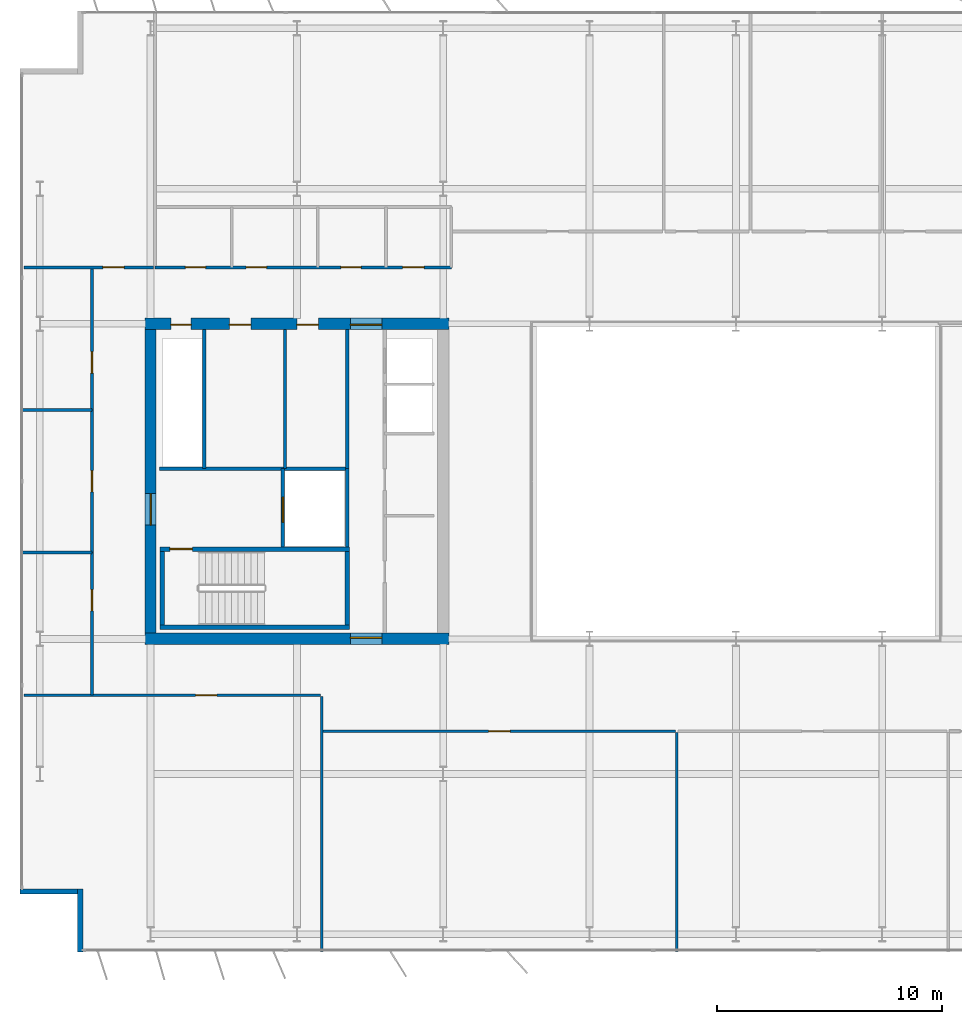
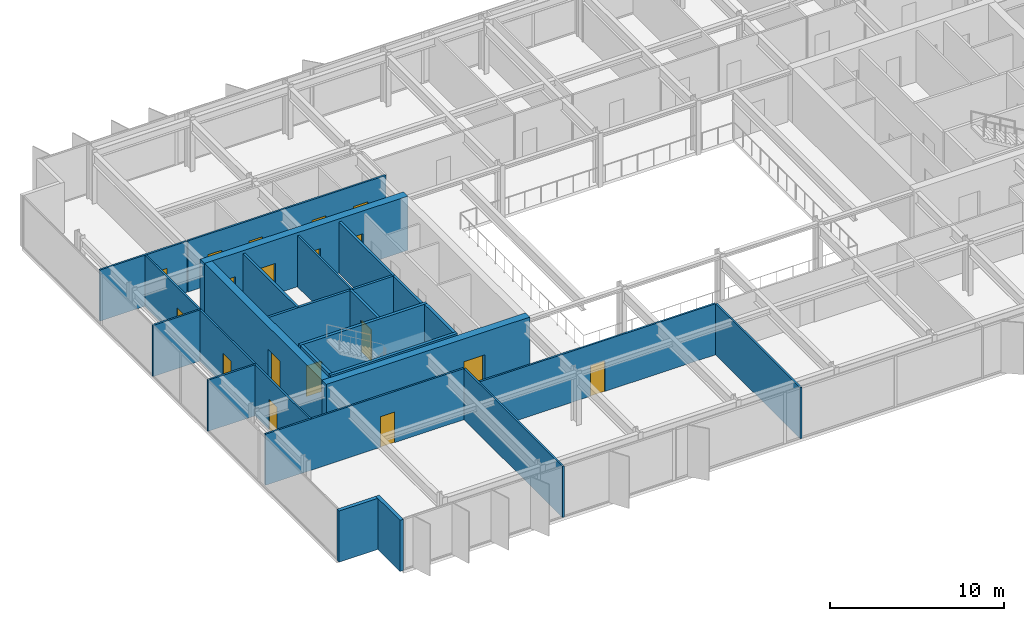
# One storey, part 12 of 19: 26 walls, 18 doors, 18 openings.
"""IFC4 building model written with IfcOpenShell, lengths in metres."""

import ifcopenshell
import ifcopenshell.guid

model = None  # the IFC model being written
_history = None  # IfcOwnerHistory: only IFC2X3 demands one
_inside = {}  # id of a spatial element -> (the spatial element, [elements in it])
_under = {}  # id of a project, library or spatial element -> (it, [spatial elements below it])
_declared = {}  # id of a project -> (the project, [libraries it declares])
_typed = {}  # id of a type object -> (the type object, [elements of that type])
_made_of = {}  # id of a material, layer set ... -> (it, [elements and type objects made of it])


def new_model(schema):
    """Start an empty IFC model of exactly this schema.

    Asked for "IFC4X3", IfcOpenShell would pick the latest addendum, in which some entities
    have other attributes; the version numbers below select the first issue.
    IFC2X3 requires an IfcOwnerHistory on every rooted entity: one is made here for all.
    """
    global model, _history
    if schema == "IFC4X3":
        model = ifcopenshell.file(schema_version=(4, 3, 0, 0))
    else:
        model = ifcopenshell.file(schema=schema)
    _inside.clear()
    _under.clear()
    _declared.clear()
    _typed.clear()
    _made_of.clear()
    _history = None
    if model.schema == "IFC2X3":
        org = make("IfcOrganization", Name="unknown")
        user = make(
            "IfcPersonAndOrganization",
            ThePerson=make("IfcPerson", FamilyName="unknown"),
            TheOrganization=org,
        )
        app = make(
            "IfcApplication",
            ApplicationDeveloper=org,
            Version="unknown",
            ApplicationFullName="unknown",
            ApplicationIdentifier="unknown",
        )
        _history = make(
            "IfcOwnerHistory",
            OwningUser=user,
            OwningApplication=app,
            ChangeAction="ADDED",
            CreationDate=0,
        )
    return model


def make(cls, **values):
    """One entity of the class cls with the attributes given. An attribute that is None is left unset."""
    return model.create_entity(
        cls, **{name: value for name, value in values.items() if value is not None}
    )


def rooted(cls, **values):
    """An entity with a GlobalId (a new one), such as an element, a storey or a relation."""
    return make(cls, GlobalId=ifcopenshell.guid.new(), OwnerHistory=_history, **values)


def si_unit(unit_type, name, prefix=None):
    """IfcSIUnit, for example si_unit("LENGTHUNIT", "METRE", prefix="MILLI")."""
    return make("IfcSIUnit", UnitType=unit_type, Prefix=prefix, Name=name)


def assignment(units):
    """IfcUnitAssignment: the units of a project."""
    return None if units is None else make("IfcUnitAssignment", Units=units)


def point(xyz):
    """IfcCartesianPoint."""
    return None if xyz is None else make("IfcCartesianPoint", Coordinates=xyz)


def direction(xyz):
    """IfcDirection."""
    return None if xyz is None else make("IfcDirection", DirectionRatios=xyz)


def frame(location, z_axis=None, x_axis=None):
    """IfcAxis2Placement3D, a coordinate frame: its origin and axes. An axis left out is left unset."""
    return make(
        "IfcAxis2Placement3D",
        Location=point(location),
        Axis=direction(z_axis),
        RefDirection=direction(x_axis),
    )


def frame_2d(location, x_axis=None):
    """IfcAxis2Placement2D, a coordinate frame in the plane: its origin and x axis."""
    return make(
        "IfcAxis2Placement2D", Location=point(location), RefDirection=direction(x_axis)
    )


def origin():
    """The frame at (0, 0, 0) with its axes left unset."""
    return frame((0.0, 0.0, 0.0))


def place(relative_to, where):
    """IfcLocalPlacement: puts the frame where relative to a parent placement (None: the world)."""
    return make(
        "IfcLocalPlacement", PlacementRelTo=relative_to, RelativePlacement=where
    )


def context(
    kind, dimensions, precision=None, world=None, true_north=None, identifier=None
):
    """IfcGeometricRepresentationContext, for example the 3D "Model" context."""
    return make(
        "IfcGeometricRepresentationContext",
        ContextIdentifier=identifier,
        ContextType=kind,
        CoordinateSpaceDimension=dimensions,
        Precision=precision,
        WorldCoordinateSystem=world,
        TrueNorth=true_north,
    )


def subcontext(parent, identifier, kind, view, scale=None):
    """IfcGeometricRepresentationSubContext, for example "Body" below "Model"."""
    return make(
        "IfcGeometricRepresentationSubContext",
        ContextIdentifier=identifier,
        ContextType=kind,
        ParentContext=parent,
        TargetScale=scale,
        TargetView=view,
    )


def project(units=None, contexts=None):
    """IfcProject with its units and contexts."""
    return rooted(
        "IfcProject",
        Name="project",
        RepresentationContexts=contexts,
        UnitsInContext=assignment(units),
    )


def spatial(cls, under=None, at=None, **own):
    """A site, building, storey or space (cls), placed at a placement, below another one or the project."""
    s = rooted(cls, ObjectPlacement=at, **own)
    if under is not None:
        _under.setdefault(under.id(), (under, []))[1].append(s)
    return s


def profile(cls, at=None, kind="AREA", **sizes):
    """A parametric profile (cls). Its sizes go by their IFC names, for example OverallWidth=200.0."""
    return make(cls, ProfileType=kind, Position=at, **sizes)


def rectangle(**sizes):
    """IfcRectangleProfileDef."""
    return profile("IfcRectangleProfileDef", **sizes)


def extrude(swept, where, along, depth):
    """IfcExtrudedAreaSolid: the profile swept, set in the frame where, extruded along a direction by depth."""
    return make(
        "IfcExtrudedAreaSolid",
        SweptArea=swept,
        Position=where,
        ExtrudedDirection=direction(along),
        Depth=depth,
    )


def shape(context_of_items, identifier, shape_type, items):
    """IfcShapeRepresentation: the items that make up one representation, for example the "Body"."""
    return make(
        "IfcShapeRepresentation",
        ContextOfItems=context_of_items,
        RepresentationIdentifier=identifier,
        RepresentationType=shape_type,
        Items=items,
    )


def material(Name=None, Category=None):
    """IfcMaterial."""
    return make("IfcMaterial", Name=Name, Category=Category)


def layer(
    of_material, thickness, ventilated=None, Name=None, Category=None, Priority=None
):
    """IfcMaterialLayer: one layer of a wall or slab, of a material (None: an air gap)."""
    return make(
        "IfcMaterialLayer",
        Material=of_material,
        LayerThickness=thickness,
        IsVentilated=ventilated,
        Name=Name,
        Category=Category,
        Priority=Priority,
    )


def layer_set(layers, Name=None):
    """IfcMaterialLayerSet."""
    return make("IfcMaterialLayerSet", MaterialLayers=layers, LayerSetName=Name)


def made_of(thing, what):
    """Note that an element or type object is made of a material, layer set ...; save() writes the relation."""
    if what is not None:
        _made_of.setdefault(what.id(), (what, []))[1].append(thing)
    return thing


def type_object(cls, material=None, **own):
    """A type object (cls), such as IfcWallType, which elements share."""
    return made_of(rooted(cls, **own), material)


def element(
    cls,
    number,
    at=None,
    inside=None,
    cuts=None,
    type_object=None,
    material=None,
    context=None,
    identifier="Body",
    shape_type=None,
    held_by="IfcProductDefinitionShape",
    body=None,
    shapes=None,
    **own,
):
    """One element of the class cls, such as IfcWall. Its Tag is "e" and its number.

    at: its placement. inside: the storey or other place that contains it. cuts: it is an
    opening in that element (IfcRelVoidsElement). A single representation is given by context,
    identifier, shape_type and body (its items); several are given by shapes. held_by: the class
    of the entity that holds the representations. save() writes the other relations.
    """
    e = rooted(cls, Tag="e%d" % number, ObjectPlacement=at, **own)
    if body is not None:
        shapes = [shape(context, identifier, shape_type, body)]
    if shapes is not None:
        e.Representation = make(held_by, Representations=shapes)
    if inside is not None:
        _inside.setdefault(inside.id(), (inside, []))[1].append(e)
    if cuts is not None:
        rooted(
            "IfcRelVoidsElement", RelatingBuildingElement=cuts, RelatedOpeningElement=e
        )
    if type_object is not None:
        _typed.setdefault(type_object.id(), (type_object, []))[1].append(e)
    return made_of(e, material)


def fill(opening, filler):
    """IfcRelFillsElement: the door or window that sits in an opening."""
    return rooted(
        "IfcRelFillsElement",
        RelatingOpeningElement=opening,
        RelatedBuildingElement=filler,
    )


def aggregate(whole, parts):
    """IfcRelAggregates: a whole, such as a stair, and the parts it consists of."""
    return rooted("IfcRelAggregates", RelatingObject=whole, RelatedObjects=parts)


def save(model, path):
    """Write the relations noted so far, then the file.

    IfcRelAggregates (storeys below a building ...), IfcRelContainedInSpatialStructure (elements
    in a storey), IfcRelDefinesByType, IfcRelAssociatesMaterial and IfcRelDeclares: one each for
    every whole, place, type object, material and project.
    """
    for whole, parts in _under.values():
        aggregate(whole, parts)
    for where, things in _inside.values():
        rooted(
            "IfcRelContainedInSpatialStructure",
            RelatedElements=things,
            RelatingStructure=where,
        )
    for kind, things in _typed.values():
        rooted("IfcRelDefinesByType", RelatedObjects=things, RelatingType=kind)
    for what, things in _made_of.values():
        rooted("IfcRelAssociatesMaterial", RelatedObjects=things, RelatingMaterial=what)
    for by, libraries in _declared.values():
        rooted("IfcRelDeclares", RelatingContext=by, RelatedDefinitions=libraries)
    model.write(path)


model = new_model("IFC4")

# Units and contexts
model_context = context("Model", 3, precision=1e-05, world=origin(), true_north=direction((0.0, 1.0)))
body_context = subcontext(model_context, "Body", "Model", "MODEL_VIEW")
ifc_project = project(units=[si_unit("LENGTHUNIT", "METRE"), si_unit("AREAUNIT", "SQUARE_METRE"), si_unit("VOLUMEUNIT", "CUBIC_METRE"), si_unit("PLANEANGLEUNIT", "RADIAN"), si_unit("MASSUNIT", "GRAM", prefix="KILO")], contexts=[model_context])

# Site, building, storey
site_placement = place(None, origin())
site = spatial("IfcSite", under=ifc_project, at=site_placement, CompositionType="ELEMENT")
building_placement = place(site_placement, origin())
building = spatial("IfcBuilding", under=site, at=building_placement, Name="Putna Gate Headquarters", CompositionType="ELEMENT")
storey_placement = place(building_placement, frame((0.0, 0.0, 259.39990234375)))
storey = spatial("IfcBuildingStorey", under=building, at=storey_placement, Name="L65", CompositionType="ELEMENT", Elevation=259.39990234375)

# Wall, opening, door
ifc_material_1 = material(Name="Concrete C50/60", Category="concrete")
ifc_layer_1 = layer(ifc_material_1, 0.5)
ifc_layer_set_1 = layer_set([ifc_layer_1], Name="Concrete C50/60")
wall_type_1 = type_object("IfcWallType", Name="WALL-CORE-500", PredefinedType="SHEAR", material=ifc_layer_set_1)
wall_1_placement = place(storey_placement, frame((12.75, 19.0, 0.0), z_axis=(0.0, 0.0, 1.0), x_axis=(1.0, 0.0, 0.0)))
wall_1 = element("IfcWall", 1, at=wall_1_placement, inside=storey, type_object=wall_type_1, Name="L65 WC Split Core Shear Wall S", PredefinedType="SHEAR", context=body_context, shape_type="SweptSolid", body=[
    extrude(rectangle(XDim=13.5, YDim=0.5, at=frame_2d((6.75, 0.0))), origin(), (0.0, 0.0, 1.0), 3.800048828125),
])
opening_1_placement = place(wall_1_placement, frame((9.1298828125, 0.0, 0.0)))
opening_1 = element("IfcOpeningElement", 2, at=opening_1_placement, cuts=wall_1, Name="Opening FDD-140", PredefinedType="OPENING", context=body_context, shape_type="SweptSolid", body=[
    extrude(rectangle(XDim=1.39990234375, YDim=2.199951171875, at=frame_2d((0.699951171875, 1.10009765625))), frame((0.0, 0.260009765625, 0.0), z_axis=(0.0, -1.0, 0.0), x_axis=(1.0, 0.0, 0.0)), (0.0, 0.0, 1.0), 0.52001953125),
])
ifc_material_2 = material(Name="Double steel fire door", Category="steel")
door_type_1 = type_object("IfcDoorType", Name="DOOR-FIRE-DBL-1400", OperationType="DOUBLE_DOOR_SINGLE_SWING", PredefinedType="DOOR", material=ifc_material_2)
door_1_placement = place(opening_1_placement, origin())
door_1 = element("IfcDoor", 3, at=door_1_placement, inside=storey, type_object=door_type_1, Name="L65 West Lift Lobby South Door", OperationType="DOUBLE_DOOR_SINGLE_SWING", OverallHeight=2.199951171875, OverallWidth=1.39990234375, PredefinedType="DOOR", context=body_context, shape_type="SweptSolid", body=[
    extrude(rectangle(XDim=1.39990234375, YDim=2.199951171875, at=frame_2d((0.699951171875, 1.10009765625))), frame((0.0, 0.0751953125, 0.0), z_axis=(0.0, -1.0, 0.0), x_axis=(1.0, 0.0, 0.0)), (0.0, 0.0, 1.0), 0.050048828125),
])
fill(opening_1, door_1)

# Wall, openings, doors
wall_2_placement = place(storey_placement, frame((12.75, 33.0, 0.0), z_axis=(0.0, 0.0, 1.0), x_axis=(1.0, 0.0, 0.0)))
wall_2 = element("IfcWall", 4, at=wall_2_placement, inside=storey, type_object=wall_type_1, Name="L65 WC Split Core Shear Wall N", PredefinedType="SHEAR", context=body_context, shape_type="SweptSolid", body=[
    extrude(rectangle(XDim=13.5, YDim=0.5, at=frame_2d((6.75, 0.0))), origin(), (0.0, 0.0, 1.0), 3.800048828125),
])
opening_2_placement = place(wall_2_placement, frame((1.14990234375, 0.0, 0.0)))
opening_2 = element("IfcOpeningElement", 5, at=opening_2_placement, cuts=wall_2, Name="Opening RD-90", PredefinedType="OPENING", context=body_context, shape_type="SweptSolid", body=[
    extrude(rectangle(XDim=0.89990234375, YDim=2.14990234375, at=frame_2d((0.449951171875, 1.074951171875))), frame((0.0, 0.260009765625, 0.0), z_axis=(0.0, -1.0, 0.0), x_axis=(1.0, 0.0, 0.0)), (0.0, 0.0, 1.0), 0.52001953125),
])
opening_3_placement = place(wall_2_placement, frame((3.75, 0.0, 0.0)))
opening_3 = element("IfcOpeningElement", 6, at=opening_3_placement, cuts=wall_2, Name="Opening IDS-95", PredefinedType="OPENING", context=body_context, shape_type="SweptSolid", body=[
    extrude(rectangle(XDim=0.949951171875, YDim=2.14990234375, at=frame_2d((0.47509765625, 1.074951171875))), frame((0.0, 0.260009765625, 0.0), z_axis=(0.0, -1.0, 0.0), x_axis=(1.0, 0.0, 0.0)), (0.0, 0.0, 1.0), 0.52001953125),
])
opening_4_placement = place(wall_2_placement, frame((6.75, 0.0, 0.0)))
opening_4 = element("IfcOpeningElement", 7, at=opening_4_placement, cuts=wall_2, Name="Opening IDS-95", PredefinedType="OPENING", context=body_context, shape_type="SweptSolid", body=[
    extrude(rectangle(XDim=0.949951171875, YDim=2.14990234375, at=frame_2d((0.47509765625, 1.074951171875))), frame((0.0, 0.260009765625, 0.0), z_axis=(0.0, -1.0, 0.0), x_axis=(1.0, 0.0, 0.0)), (0.0, 0.0, 1.0), 0.52001953125),
])
opening_5_placement = place(wall_2_placement, frame((9.1298828125, 0.0, 0.0)))
opening_5 = element("IfcOpeningElement", 8, at=opening_5_placement, cuts=wall_2, Name="Opening FDD-140", PredefinedType="OPENING", context=body_context, shape_type="SweptSolid", body=[
    extrude(rectangle(XDim=1.39990234375, YDim=2.199951171875, at=frame_2d((0.699951171875, 1.10009765625))), frame((0.0, 0.260009765625, 0.0), z_axis=(0.0, -1.0, 0.0), x_axis=(1.0, 0.0, 0.0)), (0.0, 0.0, 1.0), 0.52001953125),
])
door_2_placement = place(opening_5_placement, origin())
door_2 = element("IfcDoor", 9, at=door_2_placement, inside=storey, type_object=door_type_1, Name="L65 West Lift Lobby North Door", OperationType="DOUBLE_DOOR_SINGLE_SWING", OverallHeight=2.199951171875, OverallWidth=1.39990234375, PredefinedType="DOOR", context=body_context, shape_type="SweptSolid", body=[
    extrude(rectangle(XDim=1.39990234375, YDim=2.199951171875, at=frame_2d((0.699951171875, 1.10009765625))), frame((0.0, -0.02490234375, 0.0), z_axis=(0.0, -1.0, 0.0), x_axis=(1.0, 0.0, 0.0)), (0.0, 0.0, 1.0), 0.050048828125),
])
fill(opening_5, door_2)
ifc_material_3 = material(Name="Fire-rated service timber door", Category="wood")
door_type_2 = type_object("IfcDoorType", Name="DOOR-INT-950", OperationType="NOTDEFINED", PredefinedType="DOOR", material=ifc_material_3)
door_3_placement = place(opening_3_placement, origin())
door_3 = element("IfcDoor", 10, at=door_3_placement, inside=storey, type_object=door_type_2, Name="L65 Cleaner Store Door", OperationType="SINGLE_SWING_LEFT", OverallHeight=2.14990234375, OverallWidth=0.949951171875, PredefinedType="DOOR", context=body_context, shape_type="SweptSolid", body=[
    extrude(rectangle(XDim=0.949951171875, YDim=2.14990234375, at=frame_2d((0.47509765625, 1.074951171875))), frame((0.0, -0.02490234375, 0.0), z_axis=(0.0, -1.0, 0.0), x_axis=(1.0, 0.0, 0.0)), (0.0, 0.0, 1.0), 0.050048828125),
])
fill(opening_3, door_3)
door_4_placement = place(opening_4_placement, origin())
door_4 = element("IfcDoor", 11, at=door_4_placement, inside=storey, type_object=door_type_2, Name="L65 Comms Plant Door", OperationType="SINGLE_SWING_RIGHT", OverallHeight=2.14990234375, OverallWidth=0.949951171875, PredefinedType="DOOR", context=body_context, shape_type="SweptSolid", body=[
    extrude(rectangle(XDim=0.949951171875, YDim=2.14990234375, at=frame_2d((0.47509765625, 1.074951171875))), frame((0.0, -0.02490234375, 0.0), z_axis=(0.0, -1.0, 0.0), x_axis=(1.0, 0.0, 0.0)), (0.0, 0.0, 1.0), 0.050048828125),
])
fill(opening_4, door_4)
ifc_material_4 = material(Name="Steel riser access fire door", Category="steel")
door_type_3 = type_object("IfcDoorType", Name="DOOR-RISER-900", OperationType="NOTDEFINED", PredefinedType="DOOR", material=ifc_material_4)
door_5_placement = place(opening_2_placement, origin())
door_5 = element("IfcDoor", 12, at=door_5_placement, inside=storey, type_object=door_type_3, Name="L65 West Riser Access Door", OperationType="SINGLE_SWING_RIGHT", OverallHeight=2.14990234375, OverallWidth=0.89990234375, PredefinedType="DOOR", context=body_context, shape_type="SweptSolid", body=[
    extrude(rectangle(XDim=0.89990234375, YDim=2.14990234375, at=frame_2d((0.449951171875, 1.074951171875))), frame((0.0, -0.02490234375, 0.0), z_axis=(0.0, -1.0, 0.0), x_axis=(1.0, 0.0, 0.0)), (0.0, 0.0, 1.0), 0.050048828125),
])
fill(opening_2, door_5)

# Wall, opening, door
wall_3_placement = place(storey_placement, frame((13.0, 19.25, 0.0), z_axis=(0.0, 0.0, 1.0), x_axis=(0.0, 1.0, 0.0)))
wall_3 = element("IfcWall", 13, at=wall_3_placement, inside=storey, type_object=wall_type_1, Name="L65 WC Split Core Shear Wall W", PredefinedType="SHEAR", context=body_context, shape_type="SweptSolid", body=[
    extrude(rectangle(XDim=13.5, YDim=0.5, at=frame_2d((6.75, 0.0))), origin(), (0.0, 0.0, 1.0), 3.800048828125),
])
opening_6_placement = place(wall_3_placement, frame((4.800048828125, 0.0, 0.0)))
opening_6 = element("IfcOpeningElement", 14, at=opening_6_placement, cuts=wall_3, Name="Opening FDD-140", PredefinedType="OPENING", context=body_context, shape_type="SweptSolid", body=[
    extrude(rectangle(XDim=1.39990234375, YDim=2.199951171875, at=frame_2d((0.699951171875, 1.10009765625))), frame((0.0, 0.260009765625, 0.0), z_axis=(0.0, -1.0, 0.0), x_axis=(1.0, 0.0, 0.0)), (0.0, 0.0, 1.0), 0.52001953125),
])
door_6_placement = place(opening_6_placement, origin())
door_6 = element("IfcDoor", 15, at=door_6_placement, inside=storey, type_object=door_type_1, Name="L65 West Firefighting Lobby Door", OperationType="DOUBLE_DOOR_SINGLE_SWING", OverallHeight=2.199951171875, OverallWidth=1.39990234375, PredefinedType="DOOR", context=body_context, shape_type="SweptSolid", body=[
    extrude(rectangle(XDim=1.39990234375, YDim=2.199951171875, at=frame_2d((0.699951171875, 1.10009765625))), frame((0.0, 0.02490234375, 0.0), z_axis=(0.0, -1.0, 0.0), x_axis=(1.0, 0.0, 0.0)), (0.0, 0.0, 1.0), 0.050048828125),
])
fill(opening_6, door_6)

# Walls
ifc_material_5 = material(Name="Precast concrete C40/50", Category="concrete")
ifc_layer_2 = layer(ifc_material_5, 0.239990234375)
ifc_layer_set_2 = layer_set([ifc_layer_2], Name="Precast concrete C40/50")
wall_type_2 = type_object("IfcWallType", Name="WALL-EXT-TERR-240", PredefinedType="STANDARD", material=ifc_layer_set_2)
wall_4_placement = place(storey_placement, frame((9.8798828125, 5.10009765625, 0.0), z_axis=(0.0, 0.0, 1.0), x_axis=(0.0, 1.0, 0.0)))
element("IfcWall", 16, at=wall_4_placement, inside=storey, type_object=wall_type_2, Name="L65 Corner Notch Return Wall SW-V", PredefinedType="STANDARD", context=body_context, shape_type="SweptSolid", body=[
    extrude(rectangle(XDim=2.7998046875, YDim=0.239990234375, at=frame_2d((1.39990234375, 0.0))), origin(), (0.0, 0.0, 1.0), 3.588134765625),
])
wall_5_placement = place(storey_placement, frame((10.0, 7.780029296875, 0.0), z_axis=(0.0, 0.0, 1.0), x_axis=(-1.0, 0.0, 0.0)))
element("IfcWall", 17, at=wall_5_placement, inside=storey, type_object=wall_type_2, Name="L65 Corner Notch Return Wall SW-H", PredefinedType="STANDARD", context=body_context, shape_type="SweptSolid", body=[
    extrude(rectangle(XDim=2.800048828125, YDim=0.239990234375, at=frame_2d((1.39990234375, 0.0))), origin(), (0.0, 0.0, 1.0), 3.588134765625),
])
ifc_material_6 = material(Name="Acoustic gypsum board on metal stud")
ifc_layer_3 = layer(ifc_material_6, 0.1201171875)
ifc_layer_set_3 = layer_set([ifc_layer_3], Name="Acoustic gypsum board on metal stud")
wall_type_3 = type_object("IfcWallType", Name="WALL-PART-120", PredefinedType="PARTITIONING", material=ifc_layer_set_3)
wall_6_placement = place(storey_placement, frame((20.607177734375, 5.1201171875, 0.0), z_axis=(0.0, 0.0, 1.0), x_axis=(0.0, 1.0, 0.0)))
element("IfcWall", 18, at=wall_6_placement, inside=storey, type_object=wall_type_3, Name="L65 Interior Wall PART-L65-SB-DIV-01", PredefinedType="PARTITIONING", context=body_context, shape_type="SweptSolid", body=[
    extrude(rectangle(XDim=11.31982421875, YDim=0.1201171875, at=frame_2d((5.659912109375, 0.0))), origin(), (0.0, 0.0, 1.0), 3.588134765625),
])
wall_7_placement = place(storey_placement, frame((36.37841796875, 5.1201171875, 0.0), z_axis=(0.0, 0.0, 1.0), x_axis=(0.0, 1.0, 0.0)))
element("IfcWall", 19, at=wall_7_placement, inside=storey, type_object=wall_type_3, Name="L65 Interior Wall PART-L65-SB-DIV-02", PredefinedType="PARTITIONING", context=body_context, shape_type="SweptSolid", body=[
    extrude(rectangle(XDim=9.719970703125, YDim=0.1201171875, at=frame_2d((4.85986328125, 0.0))), origin(), (0.0, 0.0, 1.0), 3.588134765625),
])
for number, where, z_axis, x_axis, name in (
    (20, (7.219970703125, 22.833251953125, 0.0), (0.0, 0.0, 1.0), (1.0, 0.0, 0.0), "L65 Interior Wall PART-L65-WW-DIV-1"),
    (21, (7.219970703125, 29.166748046875, 0.0), (0.0, 0.0, 1.0), (1.0, 0.0, 0.0), "L65 Interior Wall PART-L65-WW-DIV-2"),
):
    element("IfcWall", number, at=place(storey_placement, frame(where, z_axis=z_axis, x_axis=x_axis)), inside=storey, type_object=wall_type_3, Name=name, PredefinedType="PARTITIONING", context=body_context, shape_type="SweptSolid", body=[
        extrude(rectangle(XDim=3.179931640625, YDim=0.1201171875, at=frame_2d((1.58984375, 0.0))), origin(), (0.0, 0.0, 1.0), 3.588134765625),
    ])
ifc_material_7 = material(Name="Fire-rated gypsum board on metal stud")
ifc_layer_4 = layer(ifc_material_7, 0.1201171875)
ifc_layer_set_4 = layer_set([ifc_layer_4], Name="Fire-rated gypsum board on metal stud")
wall_type_4 = type_object("IfcWallType", Name="WALL-PART-120-RATED", PredefinedType="PARTITIONING", material=ifc_layer_set_4)
wall_8_placement = place(storey_placement, frame((18.969970703125, 26.56005859375, 0.0), z_axis=(0.0, 0.0, 1.0), x_axis=(0.0, 1.0, 0.0)))
element("IfcWall", 22, at=wall_8_placement, inside=storey, type_object=wall_type_4, Name="L65 Interior Wall CWINT-L65-WC-K0-DIV", PredefinedType="PARTITIONING", context=body_context, shape_type="SweptSolid", body=[
    extrude(rectangle(XDim=6.18994140625, YDim=0.1201171875, at=frame_2d((3.094970703125, 0.0))), origin(), (0.0, 0.0, 1.0), 3.588134765625),
])

# Wall, openings, doors
wall_9_placement = place(storey_placement, frame((13.199951171875, 35.5, 0.0), z_axis=(0.0, 0.0, 1.0), x_axis=(1.0, 0.0, 0.0)))
wall_9 = element("IfcWall", 23, at=wall_9_placement, inside=storey, type_object=wall_type_4, Name="L65 Interior Wall PART-L65-SAN-CW", PredefinedType="PARTITIONING", context=body_context, shape_type="SweptSolid", body=[
    extrude(rectangle(XDim=13.16015625, YDim=0.1201171875, at=frame_2d((6.580078125, 0.0))), origin(), (0.0, 0.0, 1.0), 3.588134765625),
])
opening_7_placement = place(wall_9_placement, frame((1.35009765625, 0.0, 0.0)))
opening_7 = element("IfcOpeningElement", 24, at=opening_7_placement, cuts=wall_9, Name="Opening FD-90", PredefinedType="OPENING", context=body_context, shape_type="SweptSolid", body=[
    extrude(rectangle(XDim=0.89990234375, YDim=2.14990234375, at=frame_2d((0.449951171875, 1.074951171875))), frame((0.0, 0.070068359375, 0.0), z_axis=(0.0, -1.0, 0.0), x_axis=(1.0, 0.0, 0.0)), (0.0, 0.0, 1.0), 0.14013671875),
])
opening_8_placement = place(wall_9_placement, frame((4.050048828125, 0.0, 0.0)))
opening_8 = element("IfcOpeningElement", 25, at=opening_8_placement, cuts=wall_9, Name="Opening FD-90", PredefinedType="OPENING", context=body_context, shape_type="SweptSolid", body=[
    extrude(rectangle(XDim=0.89990234375, YDim=2.14990234375, at=frame_2d((0.449951171875, 1.074951171875))), frame((0.0, 0.070068359375, 0.0), z_axis=(0.0, -1.0, 0.0), x_axis=(1.0, 0.0, 0.0)), (0.0, 0.0, 1.0), 0.14013671875),
])
opening_9_placement = place(wall_9_placement, frame((8.25, 0.0, 0.0)))
opening_9 = element("IfcOpeningElement", 26, at=opening_9_placement, cuts=wall_9, Name="Opening FD-90", PredefinedType="OPENING", context=body_context, shape_type="SweptSolid", body=[
    extrude(rectangle(XDim=0.89990234375, YDim=2.14990234375, at=frame_2d((0.449951171875, 1.074951171875))), frame((0.0, 0.070068359375, 0.0), z_axis=(0.0, -1.0, 0.0), x_axis=(1.0, 0.0, 0.0)), (0.0, 0.0, 1.0), 0.14013671875),
])
opening_10_placement = place(wall_9_placement, frame((11.0, 0.0, 0.0)))
opening_10 = element("IfcOpeningElement", 27, at=opening_10_placement, cuts=wall_9, Name="Opening FD-95", PredefinedType="OPENING", context=body_context, shape_type="SweptSolid", body=[
    extrude(rectangle(XDim=0.949951171875, YDim=2.14990234375, at=frame_2d((0.47509765625, 1.074951171875))), frame((0.0, 0.070068359375, 0.0), z_axis=(0.0, -1.0, 0.0), x_axis=(1.0, 0.0, 0.0)), (0.0, 0.0, 1.0), 0.14013671875),
])
ifc_material_8 = material(Name="Acoustic washroom fire door")
door_type_4 = type_object("IfcDoorType", Name="DOOR-FIRE-900", OperationType="NOTDEFINED", PredefinedType="DOOR", material=ifc_material_8)
door_7_placement = place(opening_7_placement, origin())
door_7 = element("IfcDoor", 28, at=door_7_placement, inside=storey, type_object=door_type_4, Name="L65 Washroom Male Door", OperationType="SINGLE_SWING_RIGHT", OverallHeight=2.14990234375, OverallWidth=0.89990234375, PredefinedType="DOOR", context=body_context, shape_type="SweptSolid", body=[
    extrude(rectangle(XDim=0.89990234375, YDim=2.14990234375, at=frame_2d((0.449951171875, 1.074951171875))), frame((0.0, 0.02490234375, 0.0), z_axis=(0.0, -1.0, 0.0), x_axis=(1.0, 0.0, 0.0)), (0.0, 0.0, 1.0), 0.050048828125),
])
fill(opening_7, door_7)
door_8_placement = place(opening_8_placement, origin())
door_8 = element("IfcDoor", 29, at=door_8_placement, inside=storey, type_object=door_type_4, Name="L65 Washroom Female Door", OperationType="SINGLE_SWING_LEFT", OverallHeight=2.14990234375, OverallWidth=0.89990234375, PredefinedType="DOOR", context=body_context, shape_type="SweptSolid", body=[
    extrude(rectangle(XDim=0.89990234375, YDim=2.14990234375, at=frame_2d((0.449951171875, 1.074951171875))), frame((0.0, 0.02490234375, 0.0), z_axis=(0.0, -1.0, 0.0), x_axis=(1.0, 0.0, 0.0)), (0.0, 0.0, 1.0), 0.050048828125),
])
fill(opening_8, door_8)
door_9_placement = place(opening_9_placement, origin())
door_9 = element("IfcDoor", 30, at=door_9_placement, inside=storey, type_object=door_type_4, Name="L65 Accessible WC Door", OperationType="SINGLE_SWING_RIGHT", OverallHeight=2.14990234375, OverallWidth=0.89990234375, PredefinedType="DOOR", context=body_context, shape_type="SweptSolid", body=[
    extrude(rectangle(XDim=0.89990234375, YDim=2.14990234375, at=frame_2d((0.449951171875, 1.074951171875))), frame((0.0, 0.02490234375, 0.0), z_axis=(0.0, -1.0, 0.0), x_axis=(1.0, 0.0, 0.0)), (0.0, 0.0, 1.0), 0.050048828125),
])
fill(opening_9, door_9)
ifc_material_9 = material(Name="Acoustic timber fire door", Category="wood")
door_type_5 = type_object("IfcDoorType", Name="DOOR-FIRE-950", OperationType="NOTDEFINED", PredefinedType="DOOR", material=ifc_material_9)
door_10_placement = place(opening_10_placement, origin())
door_10 = element("IfcDoor", 31, at=door_10_placement, inside=storey, type_object=door_type_5, Name="L65 Staff Pantry and Tea Point Door", OperationType="SINGLE_SWING_LEFT", OverallHeight=2.14990234375, OverallWidth=0.949951171875, PredefinedType="DOOR", context=body_context, shape_type="SweptSolid", body=[
    extrude(rectangle(XDim=0.949951171875, YDim=2.14990234375, at=frame_2d((0.47509765625, 1.074951171875))), frame((0.0, 0.02490234375, 0.0), z_axis=(0.0, -1.0, 0.0), x_axis=(1.0, 0.0, 0.0)), (0.0, 0.0, 1.0), 0.050048828125),
])
fill(opening_10, door_10)

# Wall, opening, door
wall_10_placement = place(storey_placement, frame((7.3798828125, 35.5, 0.0), z_axis=(0.0, 0.0, 1.0), x_axis=(1.0, 0.0, 0.0)))
wall_10 = element("IfcWall", 32, at=wall_10_placement, inside=storey, type_object=wall_type_4, Name="L65 Interior Wall PART-L65-NB-CW-01", PredefinedType="PARTITIONING", context=body_context, shape_type="SweptSolid", body=[
    extrude(rectangle(XDim=5.760009765625, YDim=0.1201171875, at=frame_2d((2.8798828125, 0.0))), origin(), (0.0, 0.0, 1.0), 3.588134765625),
])
opening_11_placement = place(wall_10_placement, frame((3.5, 0.0, 0.0)))
opening_11 = element("IfcOpeningElement", 33, at=opening_11_placement, cuts=wall_10, Name="Opening FD-95", PredefinedType="OPENING", context=body_context, shape_type="SweptSolid", body=[
    extrude(rectangle(XDim=0.949951171875, YDim=2.14990234375, at=frame_2d((0.47509765625, 1.074951171875))), frame((0.0, 0.070068359375, 0.0), z_axis=(0.0, -1.0, 0.0), x_axis=(1.0, 0.0, 0.0)), (0.0, 0.0, 1.0), 0.14013671875),
])
door_11_placement = place(opening_11_placement, origin())
door_11 = element("IfcDoor", 34, at=door_11_placement, inside=storey, type_object=door_type_5, Name="L65 Collaborative Breakout Lounge 1 Door", OperationType="SINGLE_SWING_RIGHT", OverallHeight=2.14990234375, OverallWidth=0.949951171875, PredefinedType="DOOR", context=body_context, shape_type="SweptSolid", body=[
    extrude(rectangle(XDim=0.949951171875, YDim=2.14990234375, at=frame_2d((0.47509765625, 1.074951171875))), frame((0.0, 0.02490234375, 0.0), z_axis=(0.0, -1.0, 0.0), x_axis=(1.0, 0.0, 0.0)), (0.0, 0.0, 1.0), 0.050048828125),
])
fill(opening_11, door_11)

wall_11_placement = place(storey_placement, frame((7.3798828125, 16.5, 0.0), z_axis=(0.0, 0.0, 1.0), x_axis=(1.0, 0.0, 0.0)))
wall_11 = element("IfcWall", 35, at=wall_11_placement, inside=storey, type_object=wall_type_4, Name="L65 Interior Wall PART-L65-SB-CW-01", PredefinedType="PARTITIONING", context=body_context, shape_type="SweptSolid", body=[
    extrude(rectangle(XDim=13.167236328125, YDim=0.1201171875, at=frame_2d((6.58349609375, 0.0))), origin(), (0.0, 0.0, 1.0), 3.588134765625),
])
opening_12_placement = place(wall_11_placement, frame((7.61865234375, 0.0, 0.0)))
opening_12 = element("IfcOpeningElement", 36, at=opening_12_placement, cuts=wall_11, Name="Opening FD-95", PredefinedType="OPENING", context=body_context, shape_type="SweptSolid", body=[
    extrude(rectangle(XDim=0.949951171875, YDim=2.14990234375, at=frame_2d((0.47509765625, 1.074951171875))), frame((0.0, 0.070068359375, 0.0), z_axis=(0.0, -1.0, 0.0), x_axis=(1.0, 0.0, 0.0)), (0.0, 0.0, 1.0), 0.14013671875),
])
door_12_placement = place(opening_12_placement, origin())
door_12 = element("IfcDoor", 37, at=door_12_placement, inside=storey, type_object=door_type_5, Name="L65 Collaborative Breakout Lounge 3 Door", OperationType="SINGLE_SWING_LEFT", OverallHeight=2.14990234375, OverallWidth=0.949951171875, PredefinedType="DOOR", context=body_context, shape_type="SweptSolid", body=[
    extrude(rectangle(XDim=0.949951171875, YDim=2.14990234375, at=frame_2d((0.47509765625, 1.074951171875))), frame((0.0, 0.02490234375, 0.0), z_axis=(0.0, -1.0, 0.0), x_axis=(1.0, 0.0, 0.0)), (0.0, 0.0, 1.0), 0.050048828125),
])
fill(opening_12, door_12)

wall_12_placement = place(storey_placement, frame((20.667236328125, 14.89990234375, 0.0), z_axis=(0.0, 0.0, 1.0), x_axis=(1.0, 0.0, 0.0)))
wall_12 = element("IfcWall", 38, at=wall_12_placement, inside=storey, type_object=wall_type_4, Name="L65 Interior Wall PART-L65-SB-CW-02", PredefinedType="PARTITIONING", context=body_context, shape_type="SweptSolid", body=[
    extrude(rectangle(XDim=15.6513671875, YDim=0.1201171875, at=frame_2d((7.82568359375, 0.0))), origin(), (0.0, 0.0, 1.0), 3.588134765625),
])
opening_13_placement = place(wall_12_placement, frame((7.3505859375, 0.0, 0.0)))
opening_13 = element("IfcOpeningElement", 39, at=opening_13_placement, cuts=wall_12, Name="Opening FD-95", PredefinedType="OPENING", context=body_context, shape_type="SweptSolid", body=[
    extrude(rectangle(XDim=0.949951171875, YDim=2.14990234375, at=frame_2d((0.47509765625, 1.074951171875))), frame((0.0, 0.070068359375, 0.0), z_axis=(0.0, -1.0, 0.0), x_axis=(1.0, 0.0, 0.0)), (0.0, 0.0, 1.0), 0.14013671875),
])
door_13_placement = place(opening_13_placement, origin())
door_13 = element("IfcDoor", 40, at=door_13_placement, inside=storey, type_object=door_type_5, Name="L65 Cellular Office 6 Door", OperationType="SINGLE_SWING_RIGHT", OverallHeight=2.14990234375, OverallWidth=0.949951171875, PredefinedType="DOOR", context=body_context, shape_type="SweptSolid", body=[
    extrude(rectangle(XDim=0.949951171875, YDim=2.14990234375, at=frame_2d((0.47509765625, 1.074951171875))), frame((0.0, 0.02490234375, 0.0), z_axis=(0.0, -1.0, 0.0), x_axis=(1.0, 0.0, 0.0)), (0.0, 0.0, 1.0), 0.050048828125),
])
fill(opening_13, door_13)

wall_13_placement = place(storey_placement, frame((10.39990234375, 16.5, 0.0), z_axis=(0.0, 0.0, 1.0), x_axis=(0.0, 1.0, 0.0)))
wall_13 = element("IfcWall", 41, at=wall_13_placement, inside=storey, type_object=wall_type_4, Name="L65 Interior Wall PART-L65-WW-CW-1", PredefinedType="PARTITIONING", context=body_context, shape_type="SweptSolid", body=[
    extrude(rectangle(XDim=6.333251953125, YDim=0.1201171875, at=frame_2d((3.16650390625, 0.0))), origin(), (0.0, 0.0, 1.0), 3.588134765625),
])
opening_14_placement = place(wall_13_placement, frame((3.74169921875, 0.0, 0.0)))
opening_14 = element("IfcOpeningElement", 42, at=opening_14_placement, cuts=wall_13, Name="Opening FD-95", PredefinedType="OPENING", context=body_context, shape_type="SweptSolid", body=[
    extrude(rectangle(XDim=0.949951171875, YDim=2.14990234375, at=frame_2d((0.47509765625, 1.074951171875))), frame((0.0, 0.070068359375, 0.0), z_axis=(0.0, -1.0, 0.0), x_axis=(1.0, 0.0, 0.0)), (0.0, 0.0, 1.0), 0.14013671875),
])
door_14_placement = place(opening_14_placement, origin())
door_14 = element("IfcDoor", 43, at=door_14_placement, inside=storey, type_object=door_type_5, Name="L65 West Executive Office 1 Door", OperationType="SINGLE_SWING_RIGHT", OverallHeight=2.14990234375, OverallWidth=0.949951171875, PredefinedType="DOOR", context=body_context, shape_type="SweptSolid", body=[
    extrude(rectangle(XDim=0.949951171875, YDim=2.14990234375, at=frame_2d((0.47509765625, 1.074951171875))), frame((0.0, 0.02490234375, 0.0), z_axis=(0.0, -1.0, 0.0), x_axis=(1.0, 0.0, 0.0)), (0.0, 0.0, 1.0), 0.050048828125),
])
fill(opening_14, door_14)

wall_14_placement = place(storey_placement, frame((10.39990234375, 22.833251953125, 0.0), z_axis=(0.0, 0.0, 1.0), x_axis=(0.0, 1.0, 0.0)))
wall_14 = element("IfcWall", 44, at=wall_14_placement, inside=storey, type_object=wall_type_4, Name="L65 Interior Wall PART-L65-WW-CW-2", PredefinedType="PARTITIONING", context=body_context, shape_type="SweptSolid", body=[
    extrude(rectangle(XDim=6.33349609375, YDim=0.1201171875, at=frame_2d((3.166748046875, 0.0))), origin(), (0.0, 0.0, 1.0), 3.588134765625),
])
opening_15_placement = place(wall_14_placement, frame((2.691650390625, 0.0, 0.0)))
opening_15 = element("IfcOpeningElement", 45, at=opening_15_placement, cuts=wall_14, Name="Opening FD-95", PredefinedType="OPENING", context=body_context, shape_type="SweptSolid", body=[
    extrude(rectangle(XDim=0.949951171875, YDim=2.14990234375, at=frame_2d((0.47509765625, 1.074951171875))), frame((0.0, 0.070068359375, 0.0), z_axis=(0.0, -1.0, 0.0), x_axis=(1.0, 0.0, 0.0)), (0.0, 0.0, 1.0), 0.14013671875),
])
door_15_placement = place(opening_15_placement, origin())
door_15 = element("IfcDoor", 46, at=door_15_placement, inside=storey, type_object=door_type_5, Name="L65 West Executive Office 2 Door", OperationType="SINGLE_SWING_LEFT", OverallHeight=2.14990234375, OverallWidth=0.949951171875, PredefinedType="DOOR", context=body_context, shape_type="SweptSolid", body=[
    extrude(rectangle(XDim=0.949951171875, YDim=2.14990234375, at=frame_2d((0.47509765625, 1.074951171875))), frame((0.0, 0.02490234375, 0.0), z_axis=(0.0, -1.0, 0.0), x_axis=(1.0, 0.0, 0.0)), (0.0, 0.0, 1.0), 0.050048828125),
])
fill(opening_15, door_15)

wall_15_placement = place(storey_placement, frame((10.39990234375, 29.166748046875, 0.0), z_axis=(0.0, 0.0, 1.0), x_axis=(0.0, 1.0, 0.0)))
wall_15 = element("IfcWall", 47, at=wall_15_placement, inside=storey, type_object=wall_type_4, Name="L65 Interior Wall PART-L65-WW-CW-3", PredefinedType="PARTITIONING", context=body_context, shape_type="SweptSolid", body=[
    extrude(rectangle(XDim=6.333251953125, YDim=0.1201171875, at=frame_2d((3.16650390625, 0.0))), origin(), (0.0, 0.0, 1.0), 3.588134765625),
])
opening_16_placement = place(wall_15_placement, frame((1.6416015625, 0.0, 0.0)))
opening_16 = element("IfcOpeningElement", 48, at=opening_16_placement, cuts=wall_15, Name="Opening FD-95", PredefinedType="OPENING", context=body_context, shape_type="SweptSolid", body=[
    extrude(rectangle(XDim=0.949951171875, YDim=2.14990234375, at=frame_2d((0.47509765625, 1.074951171875))), frame((0.0, 0.070068359375, 0.0), z_axis=(0.0, -1.0, 0.0), x_axis=(1.0, 0.0, 0.0)), (0.0, 0.0, 1.0), 0.14013671875),
])
door_16_placement = place(opening_16_placement, origin())
door_16 = element("IfcDoor", 49, at=door_16_placement, inside=storey, type_object=door_type_5, Name="L65 West Executive Office 3 Door", OperationType="SINGLE_SWING_RIGHT", OverallHeight=2.14990234375, OverallWidth=0.949951171875, PredefinedType="DOOR", context=body_context, shape_type="SweptSolid", body=[
    extrude(rectangle(XDim=0.949951171875, YDim=2.14990234375, at=frame_2d((0.47509765625, 1.074951171875))), frame((0.0, 0.02490234375, 0.0), z_axis=(0.0, -1.0, 0.0), x_axis=(1.0, 0.0, 0.0)), (0.0, 0.0, 1.0), 0.050048828125),
])
fill(opening_16, door_16)

# Wall
ifc_material_10 = material(Name="Concrete C40/50", Category="concrete")
ifc_layer_5 = layer(ifc_material_10, 0.159912109375)
ifc_layer_set_5 = layer_set([ifc_layer_5], Name="Concrete C40/50")
wall_type_5 = type_object("IfcWallType", Name="WALL-SHAFT-160", PredefinedType="STANDARD", material=ifc_layer_set_5)
wall_16_placement = place(storey_placement, frame((21.739990234375, 23.090087890625, 0.0), z_axis=(0.0, 0.0, 1.0), x_axis=(0.0, 1.0, 0.0)))
element("IfcWall", 50, at=wall_16_placement, inside=storey, type_object=wall_type_5, Name="L65 Interior Wall CWINT-L65-WC-FFL-E", PredefinedType="STANDARD", context=body_context, shape_type="SweptSolid", body=[
    extrude(rectangle(XDim=3.469970703125, YDim=0.159912109375, at=frame_2d((1.73486328125, 0.0))), origin(), (0.0, 0.0, 1.0), 3.588134765625),
])

# Wall, opening, door
wall_17_placement = place(storey_placement, frame((18.8798828125, 23.090087890625, 0.0), z_axis=(0.0, 0.0, 1.0), x_axis=(0.0, 1.0, 0.0)))
wall_17 = element("IfcWall", 51, at=wall_17_placement, inside=storey, type_object=wall_type_5, Name="L65 Interior Wall CWINT-L65-WC-LF13-W", PredefinedType="STANDARD", context=body_context, shape_type="SweptSolid", body=[
    extrude(rectangle(XDim=3.469970703125, YDim=0.159912109375, at=frame_2d((1.73486328125, 0.0))), origin(), (0.0, 0.0, 1.0), 3.588134765625),
])
opening_17_placement = place(wall_17_placement, frame((1.10009765625, 0.0, 0.0)))
opening_17 = element("IfcOpeningElement", 52, at=opening_17_placement, cuts=wall_17, Name="Opening LD-1", PredefinedType="OPENING", context=body_context, shape_type="SweptSolid", body=[
    extrude(rectangle(XDim=1.10009765625, YDim=2.199951171875, at=frame_2d((0.550048828125, 1.10009765625))), frame((0.0, 0.08984375, 0.0), z_axis=(0.0, -1.0, 0.0), x_axis=(1.0, 0.0, 0.0)), (0.0, 0.0, 1.0), 0.179931640625),
])
ifc_material_11 = material(Name="Brushed bronze stainless lift landing door")
door_type_6 = type_object("IfcDoorType", Name="DOOR-LIFT-1100", OperationType="DOUBLE_DOOR_SLIDING", PredefinedType="DOOR", material=ifc_material_11)
door_17_placement = place(opening_17_placement, origin())
door_17 = element("IfcDoor", 53, at=door_17_placement, inside=storey, type_object=door_type_6, Name="L65 Lift Landing Door LD-13", OperationType="DOUBLE_DOOR_SLIDING", OverallHeight=2.199951171875, OverallWidth=1.10009765625, PredefinedType="DOOR", context=body_context, shape_type="SweptSolid", body=[
    extrude(rectangle(XDim=1.10009765625, YDim=2.199951171875, at=frame_2d((0.550048828125, 1.10009765625))), frame((0.0, 0.02490234375, 0.0), z_axis=(0.0, -1.0, 0.0), x_axis=(1.0, 0.0, 0.0)), (0.0, 0.0, 1.0), 0.050048828125),
])
fill(opening_17, door_17)

# Walls
wall_18_placement = place(storey_placement, frame((13.39990234375, 26.56005859375, 0.0), z_axis=(0.0, 0.0, 1.0), x_axis=(1.0, 0.0, 0.0)))
element("IfcWall", 54, at=wall_18_placement, inside=storey, type_object=wall_type_5, Name="L65 Interior Wall CWINT-L65-WC-FFL-N", PredefinedType="STANDARD", context=body_context, shape_type="SweptSolid", body=[
    extrude(rectangle(XDim=8.340087890625, YDim=0.159912109375, at=frame_2d((4.169921875, 0.0))), origin(), (0.0, 0.0, 1.0), 3.588134765625),
])
for number, where, z_axis, x_axis, name in (
    (55, (15.3798828125, 26.56005859375, 0.0), (0.0, 0.0, 1.0), (0.0, 1.0, 0.0), "L65 Interior Wall CWINT-L65-WC-RISER-E"),
    (56, (21.739990234375, 26.56005859375, 0.0), (0.0, 0.0, 1.0), (0.0, 1.0, 0.0), "L65 Interior Wall CWINT-L65-WC-LOB-W"),
):
    element("IfcWall", number, at=place(storey_placement, frame(where, z_axis=z_axis, x_axis=x_axis)), inside=storey, type_object=wall_type_5, Name=name, PredefinedType="STANDARD", context=body_context, shape_type="SweptSolid", body=[
        extrude(rectangle(XDim=6.18994140625, YDim=0.159912109375, at=frame_2d((3.094970703125, 0.0))), origin(), (0.0, 0.0, 1.0), 3.588134765625),
    ])
ifc_layer_6 = layer(ifc_material_10, 0.199951171875)
ifc_layer_set_6 = layer_set([ifc_layer_6], Name="Concrete C40/50")
wall_type_6 = type_object("IfcWallType", Name="WALL-SHAFT-RC200", PredefinedType="SHEAR", material=ifc_layer_set_6)
wall_19_placement = place(storey_placement, frame((13.409912109375, 19.510009765625, 0.0), z_axis=(0.0, 0.0, 1.0), x_axis=(1.0, 0.0, 0.0)))
element("IfcWall", 57, at=wall_19_placement, inside=storey, type_object=wall_type_6, Name="L65 Stair ST1 Structural Shaft Wall S", PredefinedType="SHEAR", context=body_context, shape_type="SweptSolid", body=[
    extrude(rectangle(XDim=8.43017578125, YDim=0.199951171875, at=frame_2d((4.215087890625, 0.0))), origin(), (0.0, 0.0, 1.0), 3.800048828125),
])

# Wall, opening, door
wall_20_placement = place(storey_placement, frame((13.409912109375, 22.989990234375, 0.0), z_axis=(0.0, 0.0, 1.0), x_axis=(1.0, 0.0, 0.0)))
wall_20 = element("IfcWall", 58, at=wall_20_placement, inside=storey, type_object=wall_type_6, Name="L65 Stair ST1 Structural Shaft Wall N", PredefinedType="SHEAR", context=body_context, shape_type="SweptSolid", body=[
    extrude(rectangle(XDim=8.43017578125, YDim=0.199951171875, at=frame_2d((4.215087890625, 0.0))), origin(), (0.0, 0.0, 1.0), 3.800048828125),
])
opening_18_placement = place(wall_20_placement, frame((0.449951171875, 0.0, 0.0)))
opening_18 = element("IfcOpeningElement", 59, at=opening_18_placement, cuts=wall_20, Name="Opening FD-100", PredefinedType="OPENING", context=body_context, shape_type="SweptSolid", body=[
    extrude(rectangle(XDim=1.0, YDim=2.14990234375, at=frame_2d((0.5, 1.074951171875))), frame((0.0, 0.10986328125, 0.0), z_axis=(0.0, -1.0, 0.0), x_axis=(1.0, 0.0, 0.0)), (0.0, 0.0, 1.0), 0.219970703125),
])
ifc_material_12 = material(Name="Powder-coated steel fire door", Category="steel")
door_type_7 = type_object("IfcDoorType", Name="DOOR-FIRE-1000", OperationType="NOTDEFINED", PredefinedType="DOOR", material=ifc_material_12)
door_18_placement = place(opening_18_placement, origin())
door_18 = element("IfcDoor", 60, at=door_18_placement, inside=storey, type_object=door_type_7, Name="L65 Stair ST1 Fire Door", OperationType="SINGLE_SWING_LEFT", OverallHeight=2.14990234375, OverallWidth=1.0, PredefinedType="DOOR", context=body_context, shape_type="SweptSolid", body=[
    extrude(rectangle(XDim=1.0, YDim=2.14990234375, at=frame_2d((0.5, 1.074951171875))), frame((0.0, 0.02490234375, 0.0), z_axis=(0.0, -1.0, 0.0), x_axis=(1.0, 0.0, 0.0)), (0.0, 0.0, 1.0), 0.050048828125),
])
fill(opening_18, door_18)

# Walls
for number, where, z_axis, x_axis, name in (
    (61, (13.510009765625, 19.610107421875, 0.0), (0.0, 0.0, 1.0), (0.0, 1.0, 0.0), "L65 Stair ST1 Structural Shaft Wall W"),
    (62, (21.739990234375, 19.610107421875, 0.0), (0.0, 0.0, 1.0), (0.0, 1.0, 0.0), "L65 Stair ST1 Structural Shaft Wall E"),
):
    element("IfcWall", number, at=place(storey_placement, frame(where, z_axis=z_axis, x_axis=x_axis)), inside=storey, type_object=wall_type_6, Name=name, PredefinedType="SHEAR", context=body_context, shape_type="SweptSolid", body=[
        extrude(rectangle(XDim=3.27978515625, YDim=0.199951171875, at=frame_2d((1.639892578125, 0.0))), origin(), (0.0, 0.0, 1.0), 3.800048828125),
    ])

save(model, "model.ifc")
